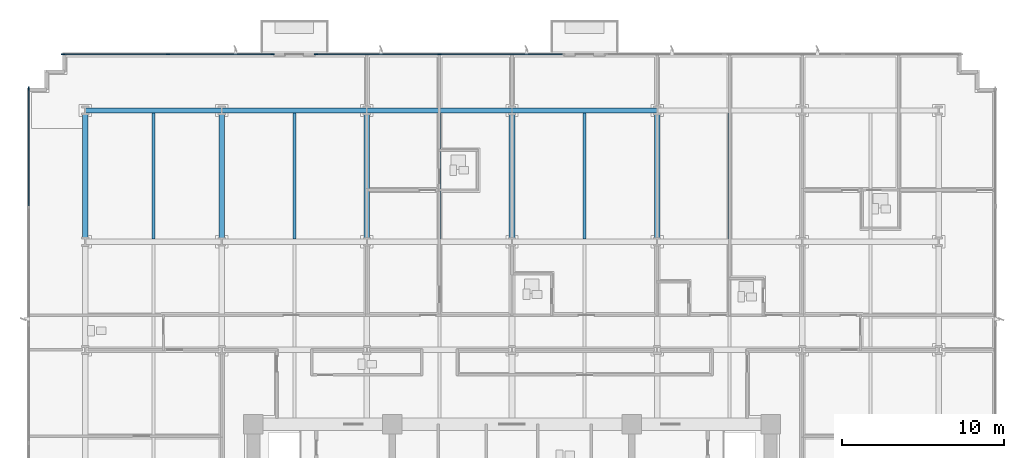
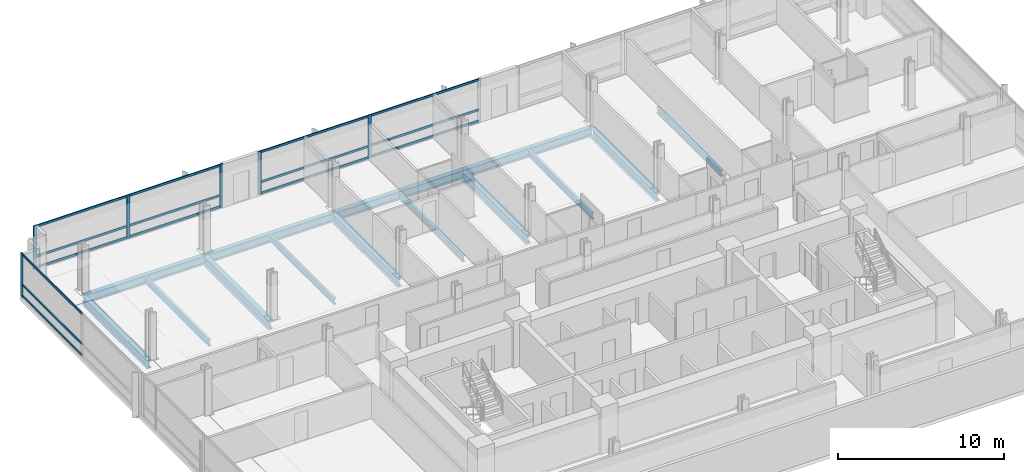
# One storey, part 5 of 18: 21 members, 14 beams, 3 elements without a shape of their own.
"""IFC4 building model written with IfcOpenShell, lengths in metres."""

import ifcopenshell
import ifcopenshell.guid

model = None  # the IFC model being written
_history = None  # IfcOwnerHistory: only IFC2X3 demands one
_inside = {}  # id of a spatial element -> (the spatial element, [elements in it])
_under = {}  # id of a project, library or spatial element -> (it, [spatial elements below it])
_declared = {}  # id of a project -> (the project, [libraries it declares])
_typed = {}  # id of a type object -> (the type object, [elements of that type])
_made_of = {}  # id of a material, layer set ... -> (it, [elements and type objects made of it])


def new_model(schema):
    """Start an empty IFC model of exactly this schema.

    Asked for "IFC4X3", IfcOpenShell would pick the latest addendum, in which some entities
    have other attributes; the version numbers below select the first issue.
    IFC2X3 requires an IfcOwnerHistory on every rooted entity: one is made here for all.
    """
    global model, _history
    if schema == "IFC4X3":
        model = ifcopenshell.file(schema_version=(4, 3, 0, 0))
    else:
        model = ifcopenshell.file(schema=schema)
    _inside.clear()
    _under.clear()
    _declared.clear()
    _typed.clear()
    _made_of.clear()
    _history = None
    if model.schema == "IFC2X3":
        org = make("IfcOrganization", Name="unknown")
        user = make(
            "IfcPersonAndOrganization",
            ThePerson=make("IfcPerson", FamilyName="unknown"),
            TheOrganization=org,
        )
        app = make(
            "IfcApplication",
            ApplicationDeveloper=org,
            Version="unknown",
            ApplicationFullName="unknown",
            ApplicationIdentifier="unknown",
        )
        _history = make(
            "IfcOwnerHistory",
            OwningUser=user,
            OwningApplication=app,
            ChangeAction="ADDED",
            CreationDate=0,
        )
    return model


def make(cls, **values):
    """One entity of the class cls with the attributes given. An attribute that is None is left unset."""
    return model.create_entity(
        cls, **{name: value for name, value in values.items() if value is not None}
    )


def rooted(cls, **values):
    """An entity with a GlobalId (a new one), such as an element, a storey or a relation."""
    return make(cls, GlobalId=ifcopenshell.guid.new(), OwnerHistory=_history, **values)


def si_unit(unit_type, name, prefix=None):
    """IfcSIUnit, for example si_unit("LENGTHUNIT", "METRE", prefix="MILLI")."""
    return make("IfcSIUnit", UnitType=unit_type, Prefix=prefix, Name=name)


def assignment(units):
    """IfcUnitAssignment: the units of a project."""
    return None if units is None else make("IfcUnitAssignment", Units=units)


def point(xyz):
    """IfcCartesianPoint."""
    return None if xyz is None else make("IfcCartesianPoint", Coordinates=xyz)


def direction(xyz):
    """IfcDirection."""
    return None if xyz is None else make("IfcDirection", DirectionRatios=xyz)


def frame(location, z_axis=None, x_axis=None):
    """IfcAxis2Placement3D, a coordinate frame: its origin and axes. An axis left out is left unset."""
    return make(
        "IfcAxis2Placement3D",
        Location=point(location),
        Axis=direction(z_axis),
        RefDirection=direction(x_axis),
    )


def frame_2d(location, x_axis=None):
    """IfcAxis2Placement2D, a coordinate frame in the plane: its origin and x axis."""
    return make(
        "IfcAxis2Placement2D", Location=point(location), RefDirection=direction(x_axis)
    )


def origin():
    """The frame at (0, 0, 0) with its axes left unset."""
    return frame((0.0, 0.0, 0.0))


def origin_2d():
    """The frame at (0, 0) in the plane with its x axis left unset."""
    return frame_2d((0.0, 0.0))


def place(relative_to, where):
    """IfcLocalPlacement: puts the frame where relative to a parent placement (None: the world)."""
    return make(
        "IfcLocalPlacement", PlacementRelTo=relative_to, RelativePlacement=where
    )


def context(
    kind, dimensions, precision=None, world=None, true_north=None, identifier=None
):
    """IfcGeometricRepresentationContext, for example the 3D "Model" context."""
    return make(
        "IfcGeometricRepresentationContext",
        ContextIdentifier=identifier,
        ContextType=kind,
        CoordinateSpaceDimension=dimensions,
        Precision=precision,
        WorldCoordinateSystem=world,
        TrueNorth=true_north,
    )


def subcontext(parent, identifier, kind, view, scale=None):
    """IfcGeometricRepresentationSubContext, for example "Body" below "Model"."""
    return make(
        "IfcGeometricRepresentationSubContext",
        ContextIdentifier=identifier,
        ContextType=kind,
        ParentContext=parent,
        TargetScale=scale,
        TargetView=view,
    )


def project(units=None, contexts=None):
    """IfcProject with its units and contexts."""
    return rooted(
        "IfcProject",
        Name="project",
        RepresentationContexts=contexts,
        UnitsInContext=assignment(units),
    )


def spatial(cls, under=None, at=None, **own):
    """A site, building, storey or space (cls), placed at a placement, below another one or the project."""
    s = rooted(cls, ObjectPlacement=at, **own)
    if under is not None:
        _under.setdefault(under.id(), (under, []))[1].append(s)
    return s


def profile(cls, at=None, kind="AREA", **sizes):
    """A parametric profile (cls). Its sizes go by their IFC names, for example OverallWidth=200.0."""
    return make(cls, ProfileType=kind, Position=at, **sizes)


def rectangle(**sizes):
    """IfcRectangleProfileDef."""
    return profile("IfcRectangleProfileDef", **sizes)


def i_section(**sizes):
    """IfcIShapeProfileDef."""
    return profile("IfcIShapeProfileDef", **sizes)


def extrude(swept, where, along, depth):
    """IfcExtrudedAreaSolid: the profile swept, set in the frame where, extruded along a direction by depth."""
    return make(
        "IfcExtrudedAreaSolid",
        SweptArea=swept,
        Position=where,
        ExtrudedDirection=direction(along),
        Depth=depth,
    )


def shape(context_of_items, identifier, shape_type, items):
    """IfcShapeRepresentation: the items that make up one representation, for example the "Body"."""
    return make(
        "IfcShapeRepresentation",
        ContextOfItems=context_of_items,
        RepresentationIdentifier=identifier,
        RepresentationType=shape_type,
        Items=items,
    )


def material(Name=None, Category=None):
    """IfcMaterial."""
    return make("IfcMaterial", Name=Name, Category=Category)


def material_profile(
    of_material, cross_section, Name=None, Category=None, Priority=None
):
    """IfcMaterialProfile: a cross section and its material."""
    return make(
        "IfcMaterialProfile",
        Name=Name,
        Material=of_material,
        Profile=cross_section,
        Priority=Priority,
        Category=Category,
    )


def profile_set(profiles, Name=None, composite=None):
    """IfcMaterialProfileSet."""
    return make(
        "IfcMaterialProfileSet",
        Name=Name,
        MaterialProfiles=profiles,
        CompositeProfile=composite,
    )


def made_of(thing, what):
    """Note that an element or type object is made of a material, layer set ...; save() writes the relation."""
    if what is not None:
        _made_of.setdefault(what.id(), (what, []))[1].append(thing)
    return thing


def type_object(cls, material=None, **own):
    """A type object (cls), such as IfcWallType, which elements share."""
    return made_of(rooted(cls, **own), material)


def element(
    cls,
    number,
    at=None,
    inside=None,
    cuts=None,
    type_object=None,
    material=None,
    context=None,
    identifier="Body",
    shape_type=None,
    held_by="IfcProductDefinitionShape",
    body=None,
    shapes=None,
    **own,
):
    """One element of the class cls, such as IfcWall. Its Tag is "e" and its number.

    at: its placement. inside: the storey or other place that contains it. cuts: it is an
    opening in that element (IfcRelVoidsElement). A single representation is given by context,
    identifier, shape_type and body (its items); several are given by shapes. held_by: the class
    of the entity that holds the representations. save() writes the other relations.
    """
    e = rooted(cls, Tag="e%d" % number, ObjectPlacement=at, **own)
    if body is not None:
        shapes = [shape(context, identifier, shape_type, body)]
    if shapes is not None:
        e.Representation = make(held_by, Representations=shapes)
    if inside is not None:
        _inside.setdefault(inside.id(), (inside, []))[1].append(e)
    if cuts is not None:
        rooted(
            "IfcRelVoidsElement", RelatingBuildingElement=cuts, RelatedOpeningElement=e
        )
    if type_object is not None:
        _typed.setdefault(type_object.id(), (type_object, []))[1].append(e)
    return made_of(e, material)


def aggregate(whole, parts):
    """IfcRelAggregates: a whole, such as a stair, and the parts it consists of."""
    return rooted("IfcRelAggregates", RelatingObject=whole, RelatedObjects=parts)


def save(model, path):
    """Write the relations noted so far, then the file.

    IfcRelAggregates (storeys below a building ...), IfcRelContainedInSpatialStructure (elements
    in a storey), IfcRelDefinesByType, IfcRelAssociatesMaterial and IfcRelDeclares: one each for
    every whole, place, type object, material and project.
    """
    for whole, parts in _under.values():
        aggregate(whole, parts)
    for where, things in _inside.values():
        rooted(
            "IfcRelContainedInSpatialStructure",
            RelatedElements=things,
            RelatingStructure=where,
        )
    for kind, things in _typed.values():
        rooted("IfcRelDefinesByType", RelatedObjects=things, RelatingType=kind)
    for what, things in _made_of.values():
        rooted("IfcRelAssociatesMaterial", RelatedObjects=things, RelatingMaterial=what)
    for by, libraries in _declared.values():
        rooted("IfcRelDeclares", RelatingContext=by, RelatedDefinitions=libraries)
    model.write(path)


model = new_model("IFC4")

# Units and contexts
model_context = context("Model", 3, precision=1e-05, world=origin(), true_north=direction((0.0, 1.0)))
body_context = subcontext(model_context, "Body", "Model", "MODEL_VIEW")
ifc_project = project(units=[si_unit("LENGTHUNIT", "METRE"), si_unit("AREAUNIT", "SQUARE_METRE"), si_unit("VOLUMEUNIT", "CUBIC_METRE"), si_unit("PLANEANGLEUNIT", "RADIAN"), si_unit("MASSUNIT", "GRAM", prefix="KILO")], contexts=[model_context])

# Site, building, storey
site_placement = place(None, origin())
site = spatial("IfcSite", under=ifc_project, at=site_placement, CompositionType="ELEMENT")
building_placement = place(site_placement, origin())
building = spatial("IfcBuilding", under=site, at=building_placement, Name="Solmavex Isthmus Hotel", CompositionType="ELEMENT")
storey_placement = place(building_placement, frame((0.0, 0.0, 43.64990234375)))
storey = spatial("IfcBuildingStorey", under=building, at=storey_placement, Name="L11", CompositionType="ELEMENT", Elevation=43.64990234375)

# Beams
ifc_material_1 = material(Name="Steel ASTM A992 Grade 50", Category="steel")
ifc_material_profile_1 = material_profile(ifc_material_1, i_section(OverallWidth=0.354736328125, OverallDepth=0.695556640625, WebThickness=0.015380859375, FlangeThickness=0.02490234375, FilletRadius=0.017822265625, at=origin_2d()), Name="W27X146")
ifc_profile_set_1 = profile_set([ifc_material_profile_1], Name="Steel ASTM A992 Grade 50")
beam_type_1 = type_object("IfcBeamType", Name="BM-BG-W27X146", PredefinedType="BEAM", material=ifc_profile_set_1)
for number, where, z_axis, x_axis, name in (
    (1, (-17.951904296875, 8.96533203125, -0.607666015625), (0.0, 1.0, 0.0), (-1.0, 0.0, 0.0), "Floor Beam L11-VG30"),
    (2, (-8.97607421875, 8.96533203125, -0.607666015625), (0.0, 1.0, 0.0), (-1.0, 0.0, 0.0), "Floor Beam L11-VG34"),
    (3, (0.0, 8.96533203125, -0.607666015625), (0.0, 1.0, 0.0), (-1.0, 0.0, 0.0), "Floor Beam L11-VG38"),
    (4, (8.97607421875, 8.96533203125, -0.607666015625), (0.0, 1.0, 0.0), (-1.0, 0.0, 0.0), "Floor Beam L11-VG42"),
):
    element("IfcBeam", number, at=place(storey_placement, frame(where, z_axis=z_axis, x_axis=x_axis)), inside=storey, type_object=beam_type_1, Name=name, PredefinedType="BEAM", context=body_context, shape_type="SweptSolid", body=[
        extrude(i_section(OverallWidth=0.354736328125, OverallDepth=0.695556640625, WebThickness=0.015380859375, FlangeThickness=0.02490234375, FilletRadius=0.017822265625, at=origin_2d()), origin(), (0.0, 0.0, 1.0), 7.771484375),
    ])
ifc_material_profile_2 = material_profile(ifc_material_1, i_section(OverallWidth=0.1904296875, OverallDepth=0.456787109375, WebThickness=0.009033203125, FlangeThickness=0.014404296875, FilletRadius=0.0126953125, at=origin_2d()), Name="W18X50")
ifc_profile_set_2 = profile_set([ifc_material_profile_2], Name="Steel ASTM A992 Grade 50")
beam_type_2 = type_object("IfcBeamType", Name="BM-BJ-W18X50", PredefinedType="JOIST", material=ifc_profile_set_2)
for number, where, z_axis, x_axis, name in (
    (5, (-22.176025390625, 8.96533203125, -0.48828125), (0.0, 1.0, 0.0), (-1.0, 0.0, 0.0), "Secondary Floor Joist L11-J03"),
    (6, (-13.464111328125, 8.96533203125, -0.48828125), (0.0, 1.0, 0.0), (-1.0, 0.0, 0.0), "Secondary Floor Joist L11-J07"),
    (7, (-4.488037109375, 8.96533203125, -0.48828125), (0.0, 1.0, 0.0), (-1.0, 0.0, 0.0), "Secondary Floor Joist L11-J11"),
    (8, (4.488037109375, 8.96533203125, -0.48828125), (0.0, 1.0, 0.0), (-1.0, 0.0, 0.0), "Secondary Floor Joist L11-J15"),
    (9, (13.464111328125, 8.96533203125, -0.48828125), (0.0, 1.0, 0.0), (-1.0, 0.0, 0.0), "Secondary Floor Joist L11-J19"),
):
    element("IfcBeam", number, at=place(storey_placement, frame(where, z_axis=z_axis, x_axis=x_axis)), inside=storey, type_object=beam_type_2, Name=name, PredefinedType="JOIST", context=body_context, shape_type="SweptSolid", body=[
        extrude(i_section(OverallWidth=0.1904296875, OverallDepth=0.456787109375, WebThickness=0.009033203125, FlangeThickness=0.014404296875, FilletRadius=0.0126953125, at=origin_2d()), origin(), (0.0, 0.0, 1.0), 7.771484375),
    ])
ifc_material_profile_3 = material_profile(ifc_material_1, i_section(OverallWidth=0.326416015625, OverallDepth=0.621826171875, WebThickness=0.015380859375, FlangeThickness=0.0244140625, FilletRadius=0.01513671875, at=origin_2d()), Name="W24X131")
ifc_profile_set_3 = profile_set([ifc_material_profile_3], Name="Steel ASTM A992 Grade 50")
beam_type_3 = type_object("IfcBeamType", Name="BM-SP-W24X131", PredefinedType="SPANDREL", material=ifc_profile_set_3)
beam_1_placement = place(storey_placement, frame((-26.39990234375, 16.89990234375, -0.57080078125), z_axis=(1.0, 0.0, 0.0), x_axis=(0.0, 1.0, 0.0)))
element("IfcBeam", 10, at=beam_1_placement, inside=storey, type_object=beam_type_3, Name="Floor Girder L11-UG19", PredefinedType="SPANDREL", context=body_context, shape_type="SweptSolid", body=[
    extrude(i_section(OverallWidth=0.326416015625, OverallDepth=0.621826171875, WebThickness=0.015380859375, FlangeThickness=0.0244140625, FilletRadius=0.01513671875, at=origin_2d()), origin(), (0.0, 0.0, 1.0), 8.447998046875),
])
beam_2_placement = place(storey_placement, frame((-17.951904296875, 16.89990234375, -0.57080078125), z_axis=(1.0, 0.0, 0.0), x_axis=(0.0, 1.0, 0.0)))
element("IfcBeam", 11, at=beam_2_placement, inside=storey, type_object=beam_type_3, Name="Floor Girder L11-UG20", PredefinedType="SPANDREL", context=body_context, shape_type="SweptSolid", body=[
    extrude(i_section(OverallWidth=0.326416015625, OverallDepth=0.621826171875, WebThickness=0.015380859375, FlangeThickness=0.0244140625, FilletRadius=0.01513671875, at=origin_2d()), origin(), (0.0, 0.0, 1.0), 8.975830078125),
])
for number, where, z_axis, x_axis, name in (
    (12, (-8.97607421875, 16.89990234375, -0.57080078125), (1.0, 0.0, 0.0), (0.0, 1.0, 0.0), "Floor Girder L11-UG21"),
    (13, (0.0, 16.89990234375, -0.57080078125), (1.0, 0.0, 0.0), (0.0, 1.0, 0.0), "Floor Girder L11-UG22"),
):
    element("IfcBeam", number, at=place(storey_placement, frame(where, z_axis=z_axis, x_axis=x_axis)), inside=storey, type_object=beam_type_3, Name=name, PredefinedType="SPANDREL", context=body_context, shape_type="SweptSolid", body=[
        extrude(i_section(OverallWidth=0.326416015625, OverallDepth=0.621826171875, WebThickness=0.015380859375, FlangeThickness=0.0244140625, FilletRadius=0.01513671875, at=origin_2d()), origin(), (0.0, 0.0, 1.0), 8.97607421875),
    ])
beam_3_placement = place(storey_placement, frame((-26.39990234375, 8.96533203125, -0.57080078125), z_axis=(0.0, 1.0, 0.0), x_axis=(-1.0, 0.0, 0.0)))
element("IfcBeam", 14, at=beam_3_placement, inside=storey, type_object=beam_type_3, Name="Floor Beam L11-VG27", PredefinedType="SPANDREL", context=body_context, shape_type="SweptSolid", body=[
    extrude(i_section(OverallWidth=0.326416015625, OverallDepth=0.621826171875, WebThickness=0.015380859375, FlangeThickness=0.0244140625, FilletRadius=0.01513671875, at=origin_2d()), origin(), (0.0, 0.0, 1.0), 7.771484375),
])

# Curtain wall, members
ifc_material_2 = material(Name="Aluminium alloy 6063-T6", Category="aluminium")
curtain_wall_type = type_object("IfcCurtainWallType", Name="CW-SYS-02", PredefinedType="NOTDEFINED", material=ifc_material_2)
curtain_wall_1_placement = place(storey_placement, origin())
curtain_wall_1 = element("IfcCurtainWall", 15, at=curtain_wall_1_placement, inside=storey, type_object=curtain_wall_type, Name="Stick Curtain Wall CWL-L11-N1", PredefinedType="NOTDEFINED")
ifc_material_profile_4 = material_profile(ifc_material_2, rectangle(XDim=0.074951171875, YDim=0.219970703125, at=origin_2d()), Name="CWM-75X220")
ifc_profile_set_4 = profile_set([ifc_material_profile_4], Name="Aluminium alloy 6063-T6")
member_type_1 = type_object("IfcMemberType", Name="CW-SYS-02-MUL", PredefinedType="MULLION", material=ifc_profile_set_4)
member_1_placement = place(storey_placement, frame((-27.762451171875, 20.3798828125, 0.0), z_axis=(0.0, 0.0, 1.0), x_axis=(0.0, 1.0, 0.0)))
member_1 = element("IfcMember", 16, at=member_1_placement, type_object=member_type_1, Name="CW-02 mullion 1", PredefinedType="MULLION", context=body_context, shape_type="SweptSolid", body=[
    extrude(rectangle(XDim=0.074951171875, YDim=0.219970703125, at=origin_2d()), origin(), (0.0, 0.0, 1.0), 3.190185546875),
])
member_2_placement = place(storey_placement, frame((-21.281982421875, 20.3798828125, 0.0), z_axis=(0.0, 0.0, 1.0), x_axis=(0.0, 1.0, 0.0)))
member_2 = element("IfcMember", 17, at=member_2_placement, type_object=member_type_1, Name="CW-02 mullion 2", PredefinedType="MULLION", context=body_context, shape_type="SweptSolid", body=[
    extrude(rectangle(XDim=0.074951171875, YDim=0.219970703125, at=origin_2d()), origin(), (0.0, 0.0, 1.0), 3.190185546875),
])
member_3_placement = place(storey_placement, frame((-14.801513671875, 20.3798828125, 0.0), z_axis=(0.0, 0.0, 1.0), x_axis=(0.0, 1.0, 0.0)))
member_3 = element("IfcMember", 18, at=member_3_placement, type_object=member_type_1, Name="CW-02 mullion 3", PredefinedType="MULLION", context=body_context, shape_type="SweptSolid", body=[
    extrude(rectangle(XDim=0.074951171875, YDim=0.219970703125, at=origin_2d()), origin(), (0.0, 0.0, 1.0), 3.190185546875),
])

curtain_wall_2_placement = place(storey_placement, origin())
curtain_wall_2 = element("IfcCurtainWall", 19, at=curtain_wall_2_placement, inside=storey, type_object=curtain_wall_type, Name="Stick Curtain Wall CWL-L11-N2", PredefinedType="NOTDEFINED")
member_4_placement = place(storey_placement, frame((-12.12646484375, 20.3798828125, 0.0), z_axis=(0.0, 0.0, 1.0), x_axis=(0.0, 1.0, 0.0)))
member_4 = element("IfcMember", 20, at=member_4_placement, type_object=member_type_1, Name="CW-02 mullion 1", PredefinedType="MULLION", context=body_context, shape_type="SweptSolid", body=[
    extrude(rectangle(XDim=0.074951171875, YDim=0.219970703125, at=origin_2d()), origin(), (0.0, 0.0, 1.0), 3.190185546875),
])
member_5_placement = place(storey_placement, frame((-4.488037109375, 20.3798828125, 0.0), z_axis=(0.0, 0.0, 1.0), x_axis=(0.0, 1.0, 0.0)))
member_5 = element("IfcMember", 21, at=member_5_placement, type_object=member_type_1, Name="CW-02 mullion 2", PredefinedType="MULLION", context=body_context, shape_type="SweptSolid", body=[
    extrude(rectangle(XDim=0.074951171875, YDim=0.219970703125, at=origin_2d()), origin(), (0.0, 0.0, 1.0), 3.190185546875),
])

# Curtain wall, member
curtain_wall_3_placement = place(storey_placement, origin())
curtain_wall_3 = element("IfcCurtainWall", 22, at=curtain_wall_3_placement, inside=storey, type_object=curtain_wall_type, Name="Stick Curtain Wall CWL-L11-W1", PredefinedType="NOTDEFINED")
member_6_placement = place(storey_placement, frame((-29.8798828125, 18.262451171875, 0.0), z_axis=(0.0, 0.0, 1.0), x_axis=(-1.0, 0.0, 0.0)))
member_6 = element("IfcMember", 23, at=member_6_placement, type_object=member_type_1, Name="CW-02 mullion 6", PredefinedType="MULLION", context=body_context, shape_type="SweptSolid", body=[
    extrude(rectangle(XDim=0.074951171875, YDim=0.219970703125, at=origin_2d()), origin(), (0.0, 0.0, 1.0), 3.190185546875),
])

# Member
ifc_material_profile_5 = material_profile(ifc_material_2, rectangle(XDim=0.074951171875, YDim=0.159912109375, at=origin_2d()), Name="CWT-75X160")
ifc_profile_set_5 = profile_set([ifc_material_profile_5], Name="Aluminium alloy 6063-T6")
member_type_2 = type_object("IfcMemberType", Name="CW-SYS-02-TRN", PredefinedType="USERDEFINED", material=ifc_profile_set_5)
member_7_placement = place(storey_placement, frame((-27.72509765625, 20.3798828125, 0.080078125), z_axis=(1.0, 0.0, 0.0), x_axis=(0.0, 1.0, 0.0)))
member_7 = element("IfcMember", 24, at=member_7_placement, type_object=member_type_2, Name="CW-02 transom 1.1", ObjectType="TRANSOM", PredefinedType="USERDEFINED", context=body_context, shape_type="SweptSolid", body=[
    extrude(rectangle(XDim=0.074951171875, YDim=0.159912109375, at=origin_2d()), origin(), (0.0, 0.0, 1.0), 6.405517578125),
])

member_8_placement = place(storey_placement, frame((-27.72509765625, 20.3798828125, 0.900146484375), z_axis=(1.0, 0.0, 0.0), x_axis=(0.0, 1.0, 0.0)))
member_8 = element("IfcMember", 25, at=member_8_placement, type_object=member_type_2, Name="CW-02 transom 1.2", ObjectType="TRANSOM", PredefinedType="USERDEFINED", context=body_context, shape_type="SweptSolid", body=[
    extrude(rectangle(XDim=0.074951171875, YDim=0.159912109375, at=origin_2d()), origin(), (0.0, 0.0, 1.0), 6.405517578125),
])

member_9_placement = place(storey_placement, frame((-27.72509765625, 20.3798828125, 3.110107421875), z_axis=(1.0, 0.0, 0.0), x_axis=(0.0, 1.0, 0.0)))
member_9 = element("IfcMember", 26, at=member_9_placement, type_object=member_type_2, Name="CW-02 transom 1.3", ObjectType="TRANSOM", PredefinedType="USERDEFINED", context=body_context, shape_type="SweptSolid", body=[
    extrude(rectangle(XDim=0.074951171875, YDim=0.159912109375, at=origin_2d()), origin(), (0.0, 0.0, 1.0), 6.405517578125),
])

member_10_placement = place(storey_placement, frame((-21.244384765625, 20.3798828125, 0.080078125), z_axis=(1.0, 0.0, 0.0), x_axis=(0.0, 1.0, 0.0)))
member_10 = element("IfcMember", 27, at=member_10_placement, type_object=member_type_2, Name="CW-02 transom 2.1", ObjectType="TRANSOM", PredefinedType="USERDEFINED", context=body_context, shape_type="SweptSolid", body=[
    extrude(rectangle(XDim=0.074951171875, YDim=0.159912109375, at=origin_2d()), origin(), (0.0, 0.0, 1.0), 6.4052734375),
])

member_11_placement = place(storey_placement, frame((-21.244384765625, 20.3798828125, 0.900146484375), z_axis=(1.0, 0.0, 0.0), x_axis=(0.0, 1.0, 0.0)))
member_11 = element("IfcMember", 28, at=member_11_placement, type_object=member_type_2, Name="CW-02 transom 2.2", ObjectType="TRANSOM", PredefinedType="USERDEFINED", context=body_context, shape_type="SweptSolid", body=[
    extrude(rectangle(XDim=0.074951171875, YDim=0.159912109375, at=origin_2d()), origin(), (0.0, 0.0, 1.0), 6.4052734375),
])

member_12_placement = place(storey_placement, frame((-21.244384765625, 20.3798828125, 3.110107421875), z_axis=(1.0, 0.0, 0.0), x_axis=(0.0, 1.0, 0.0)))
member_12 = element("IfcMember", 29, at=member_12_placement, type_object=member_type_2, Name="CW-02 transom 2.3", ObjectType="TRANSOM", PredefinedType="USERDEFINED", context=body_context, shape_type="SweptSolid", body=[
    extrude(rectangle(XDim=0.074951171875, YDim=0.159912109375, at=origin_2d()), origin(), (0.0, 0.0, 1.0), 6.4052734375),
])

aggregate(curtain_wall_1, [member_1, member_2, member_3, member_7, member_8, member_9, member_10, member_11, member_12])

member_13_placement = place(storey_placement, frame((-12.089111328125, 20.3798828125, 0.080078125), z_axis=(1.0, 0.0, 0.0), x_axis=(0.0, 1.0, 0.0)))
member_13 = element("IfcMember", 30, at=member_13_placement, type_object=member_type_2, Name="CW-02 transom 1.1", ObjectType="TRANSOM", PredefinedType="USERDEFINED", context=body_context, shape_type="SweptSolid", body=[
    extrude(rectangle(XDim=0.074951171875, YDim=0.159912109375, at=origin_2d()), origin(), (0.0, 0.0, 1.0), 7.563720703125),
])

member_14_placement = place(storey_placement, frame((-12.089111328125, 20.3798828125, 0.900146484375), z_axis=(1.0, 0.0, 0.0), x_axis=(0.0, 1.0, 0.0)))
member_14 = element("IfcMember", 31, at=member_14_placement, type_object=member_type_2, Name="CW-02 transom 1.2", ObjectType="TRANSOM", PredefinedType="USERDEFINED", context=body_context, shape_type="SweptSolid", body=[
    extrude(rectangle(XDim=0.074951171875, YDim=0.159912109375, at=origin_2d()), origin(), (0.0, 0.0, 1.0), 7.563720703125),
])

member_15_placement = place(storey_placement, frame((-12.089111328125, 20.3798828125, 3.110107421875), z_axis=(1.0, 0.0, 0.0), x_axis=(0.0, 1.0, 0.0)))
member_15 = element("IfcMember", 32, at=member_15_placement, type_object=member_type_2, Name="CW-02 transom 1.3", ObjectType="TRANSOM", PredefinedType="USERDEFINED", context=body_context, shape_type="SweptSolid", body=[
    extrude(rectangle(XDim=0.074951171875, YDim=0.159912109375, at=origin_2d()), origin(), (0.0, 0.0, 1.0), 7.563720703125),
])

member_16_placement = place(storey_placement, frame((-4.450439453125, 20.3798828125, 0.080078125), z_axis=(1.0, 0.0, 0.0), x_axis=(0.0, 1.0, 0.0)))
member_16 = element("IfcMember", 33, at=member_16_placement, type_object=member_type_2, Name="CW-02 transom 2.1", ObjectType="TRANSOM", PredefinedType="USERDEFINED", context=body_context, shape_type="SweptSolid", body=[
    extrude(rectangle(XDim=0.074951171875, YDim=0.159912109375, at=origin_2d()), origin(), (0.0, 0.0, 1.0), 7.5634765625),
])

member_17_placement = place(storey_placement, frame((-4.450439453125, 20.3798828125, 0.900146484375), z_axis=(1.0, 0.0, 0.0), x_axis=(0.0, 1.0, 0.0)))
member_17 = element("IfcMember", 34, at=member_17_placement, type_object=member_type_2, Name="CW-02 transom 2.2", ObjectType="TRANSOM", PredefinedType="USERDEFINED", context=body_context, shape_type="SweptSolid", body=[
    extrude(rectangle(XDim=0.074951171875, YDim=0.159912109375, at=origin_2d()), origin(), (0.0, 0.0, 1.0), 7.5634765625),
])

member_18_placement = place(storey_placement, frame((-4.450439453125, 20.3798828125, 3.110107421875), z_axis=(1.0, 0.0, 0.0), x_axis=(0.0, 1.0, 0.0)))
member_18 = element("IfcMember", 35, at=member_18_placement, type_object=member_type_2, Name="CW-02 transom 2.3", ObjectType="TRANSOM", PredefinedType="USERDEFINED", context=body_context, shape_type="SweptSolid", body=[
    extrude(rectangle(XDim=0.074951171875, YDim=0.159912109375, at=origin_2d()), origin(), (0.0, 0.0, 1.0), 7.5634765625),
])

aggregate(curtain_wall_2, [member_4, member_5, member_13, member_14, member_15, member_16, member_17, member_18])

member_19_placement = place(storey_placement, frame((-29.8798828125, 11.017578125, 0.080078125), z_axis=(0.0, 1.0, 0.0), x_axis=(-1.0, 0.0, 0.0)))
member_19 = element("IfcMember", 36, at=member_19_placement, type_object=member_type_2, Name="CW-02 transom 5.1", ObjectType="TRANSOM", PredefinedType="USERDEFINED", context=body_context, shape_type="SweptSolid", body=[
    extrude(rectangle(XDim=0.074951171875, YDim=0.159912109375, at=origin_2d()), origin(), (0.0, 0.0, 1.0), 7.20751953125),
])

member_20_placement = place(storey_placement, frame((-29.8798828125, 11.017578125, 0.900146484375), z_axis=(0.0, 1.0, 0.0), x_axis=(-1.0, 0.0, 0.0)))
member_20 = element("IfcMember", 37, at=member_20_placement, type_object=member_type_2, Name="CW-02 transom 5.2", ObjectType="TRANSOM", PredefinedType="USERDEFINED", context=body_context, shape_type="SweptSolid", body=[
    extrude(rectangle(XDim=0.074951171875, YDim=0.159912109375, at=origin_2d()), origin(), (0.0, 0.0, 1.0), 7.20751953125),
])

member_21_placement = place(storey_placement, frame((-29.8798828125, 11.017578125, 3.110107421875), z_axis=(0.0, 1.0, 0.0), x_axis=(-1.0, 0.0, 0.0)))
member_21 = element("IfcMember", 38, at=member_21_placement, type_object=member_type_2, Name="CW-02 transom 5.3", ObjectType="TRANSOM", PredefinedType="USERDEFINED", context=body_context, shape_type="SweptSolid", body=[
    extrude(rectangle(XDim=0.074951171875, YDim=0.159912109375, at=origin_2d()), origin(), (0.0, 0.0, 1.0), 7.20751953125),
])

aggregate(curtain_wall_3, [member_6, member_19, member_20, member_21])

save(model, "model.ifc")
